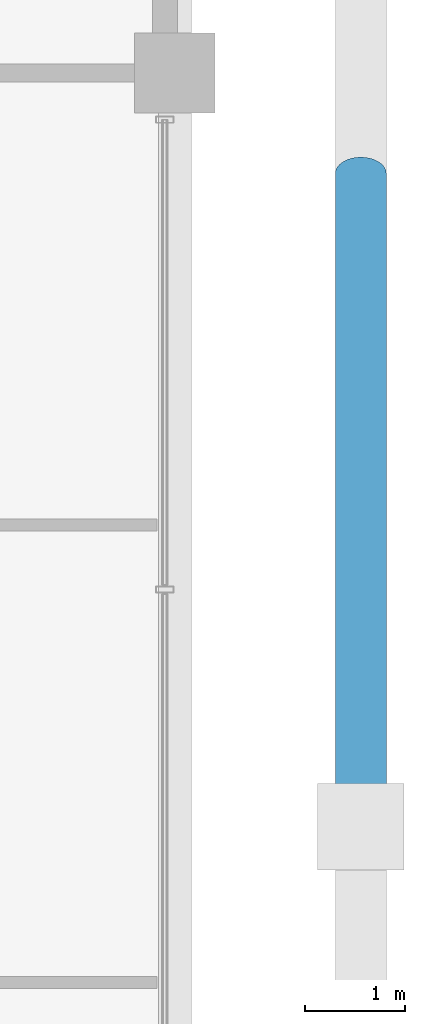
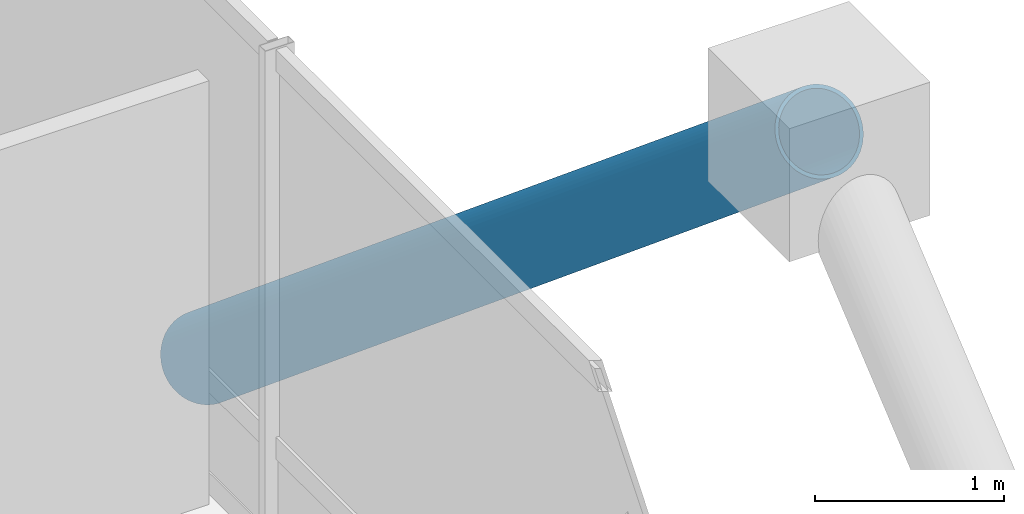
# One storey, part 10 of 23: 1 member.
"""IFC4 building model written with IfcOpenShell, lengths in metres."""

from ifc_helpers import new_model, si_unit, direction, frame, origin, origin_2d, place, context, subcontext, project, spatial, hollow_circle, extrude, material, material_profile, profile_set, type_object, element, save


model = new_model("IFC4")

# Units and contexts
model_context = context("Model", 3, precision=1e-05, world=origin(), true_north=direction((0.0, 1.0)))
body_context = subcontext(model_context, "Body", "Model", "MODEL_VIEW")
ifc_project = project(units=[si_unit("LENGTHUNIT", "METRE"), si_unit("AREAUNIT", "SQUARE_METRE"), si_unit("VOLUMEUNIT", "CUBIC_METRE"), si_unit("PLANEANGLEUNIT", "RADIAN"), si_unit("MASSUNIT", "GRAM", prefix="KILO")], contexts=[model_context])

# Site, building, storey
site_placement = place(None, origin())
site = spatial("IfcSite", under=ifc_project, at=site_placement, CompositionType="ELEMENT")
building_placement = place(site_placement, origin())
building = spatial("IfcBuilding", under=site, at=building_placement, Name="Barlavira Tower and Art Museum", CompositionType="ELEMENT")
storey_placement = place(building_placement, frame((0.0, 0.0, 117.0)))
storey = spatial("IfcBuildingStorey", under=building, at=storey_placement, Name="L29", CompositionType="ELEMENT", Elevation=117.0)

# Member
ifc_material = material(Name="Steel S355", Category="steel")
ifc_material_profile = material_profile(ifc_material, hollow_circle(Radius=0.25390625, WallThickness=0.022216796875, at=origin_2d()), Name="CHS 508.0x22.2")
ifc_profile_set = profile_set([ifc_material_profile], Name="Steel S355")
member_type = type_object("IfcMemberType", Name="Pale-Metal Exoskeleton Diagrid Tube CHS 508x22 Steel S355", PredefinedType="BRACE", material=ifc_profile_set)
member_placement = place(storey_placement, frame((22.10009765625, 6.5, -1.919921875), z_axis=(0.0, -0.769196053329, 0.639012857104), x_axis=(1.0, 0.0, 0.0)))
element("IfcMember", 1, at=member_placement, inside=storey, type_object=member_type, Name="L29 Exoskeleton Diagrid Tube E", PredefinedType="BRACE", context=body_context, shape_type="SweptSolid", body=[
    extrude(hollow_circle(Radius=0.25390625, WallThickness=0.022216796875, at=origin_2d()), origin(), (0.0, 0.0, 1.0), 8.450439453125),
])

save(model, "model.ifc")
